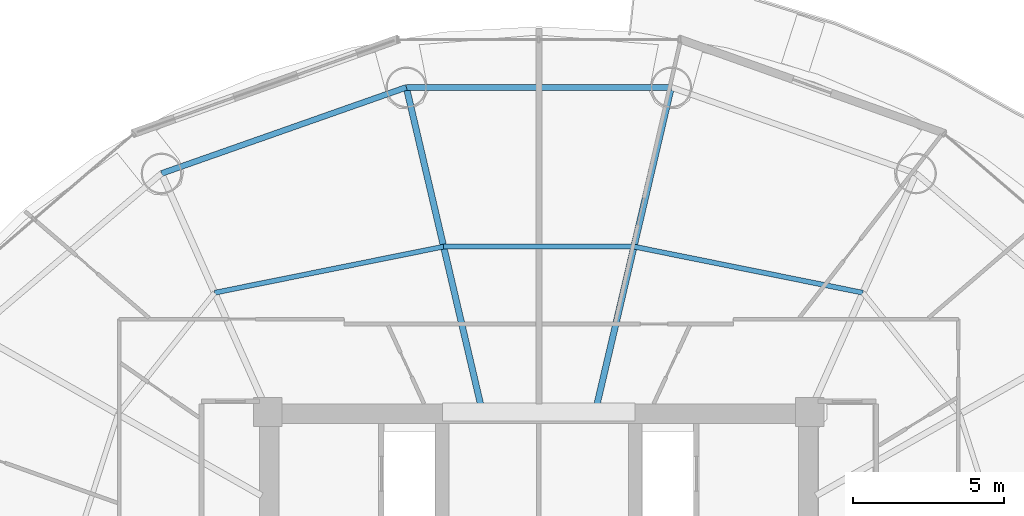
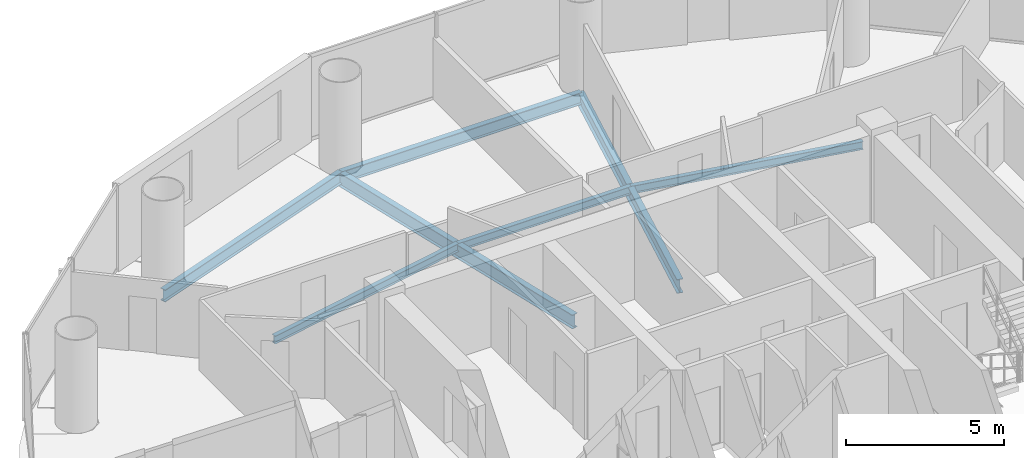
# One storey, part 15 of 26: 7 beams.
"""IFC4 building model written with IfcOpenShell, lengths in metres."""

import ifcopenshell
import ifcopenshell.guid

model = None  # the IFC model being written
_history = None  # IfcOwnerHistory: only IFC2X3 demands one
_inside = {}  # id of a spatial element -> (the spatial element, [elements in it])
_under = {}  # id of a project, library or spatial element -> (it, [spatial elements below it])
_declared = {}  # id of a project -> (the project, [libraries it declares])
_typed = {}  # id of a type object -> (the type object, [elements of that type])
_made_of = {}  # id of a material, layer set ... -> (it, [elements and type objects made of it])


def new_model(schema):
    """Start an empty IFC model of exactly this schema.

    Asked for "IFC4X3", IfcOpenShell would pick the latest addendum, in which some entities
    have other attributes; the version numbers below select the first issue.
    IFC2X3 requires an IfcOwnerHistory on every rooted entity: one is made here for all.
    """
    global model, _history
    if schema == "IFC4X3":
        model = ifcopenshell.file(schema_version=(4, 3, 0, 0))
    else:
        model = ifcopenshell.file(schema=schema)
    _inside.clear()
    _under.clear()
    _declared.clear()
    _typed.clear()
    _made_of.clear()
    _history = None
    if model.schema == "IFC2X3":
        org = make("IfcOrganization", Name="unknown")
        user = make(
            "IfcPersonAndOrganization",
            ThePerson=make("IfcPerson", FamilyName="unknown"),
            TheOrganization=org,
        )
        app = make(
            "IfcApplication",
            ApplicationDeveloper=org,
            Version="unknown",
            ApplicationFullName="unknown",
            ApplicationIdentifier="unknown",
        )
        _history = make(
            "IfcOwnerHistory",
            OwningUser=user,
            OwningApplication=app,
            ChangeAction="ADDED",
            CreationDate=0,
        )
    return model


def make(cls, **values):
    """One entity of the class cls with the attributes given. An attribute that is None is left unset."""
    return model.create_entity(
        cls, **{name: value for name, value in values.items() if value is not None}
    )


def rooted(cls, **values):
    """An entity with a GlobalId (a new one), such as an element, a storey or a relation."""
    return make(cls, GlobalId=ifcopenshell.guid.new(), OwnerHistory=_history, **values)


def si_unit(unit_type, name, prefix=None):
    """IfcSIUnit, for example si_unit("LENGTHUNIT", "METRE", prefix="MILLI")."""
    return make("IfcSIUnit", UnitType=unit_type, Prefix=prefix, Name=name)


def assignment(units):
    """IfcUnitAssignment: the units of a project."""
    return None if units is None else make("IfcUnitAssignment", Units=units)


def point(xyz):
    """IfcCartesianPoint."""
    return None if xyz is None else make("IfcCartesianPoint", Coordinates=xyz)


def direction(xyz):
    """IfcDirection."""
    return None if xyz is None else make("IfcDirection", DirectionRatios=xyz)


def frame(location, z_axis=None, x_axis=None):
    """IfcAxis2Placement3D, a coordinate frame: its origin and axes. An axis left out is left unset."""
    return make(
        "IfcAxis2Placement3D",
        Location=point(location),
        Axis=direction(z_axis),
        RefDirection=direction(x_axis),
    )


def frame_2d(location, x_axis=None):
    """IfcAxis2Placement2D, a coordinate frame in the plane: its origin and x axis."""
    return make(
        "IfcAxis2Placement2D", Location=point(location), RefDirection=direction(x_axis)
    )


def origin():
    """The frame at (0, 0, 0) with its axes left unset."""
    return frame((0.0, 0.0, 0.0))


def origin_2d():
    """The frame at (0, 0) in the plane with its x axis left unset."""
    return frame_2d((0.0, 0.0))


def place(relative_to, where):
    """IfcLocalPlacement: puts the frame where relative to a parent placement (None: the world)."""
    return make(
        "IfcLocalPlacement", PlacementRelTo=relative_to, RelativePlacement=where
    )


def context(
    kind, dimensions, precision=None, world=None, true_north=None, identifier=None
):
    """IfcGeometricRepresentationContext, for example the 3D "Model" context."""
    return make(
        "IfcGeometricRepresentationContext",
        ContextIdentifier=identifier,
        ContextType=kind,
        CoordinateSpaceDimension=dimensions,
        Precision=precision,
        WorldCoordinateSystem=world,
        TrueNorth=true_north,
    )


def subcontext(parent, identifier, kind, view, scale=None):
    """IfcGeometricRepresentationSubContext, for example "Body" below "Model"."""
    return make(
        "IfcGeometricRepresentationSubContext",
        ContextIdentifier=identifier,
        ContextType=kind,
        ParentContext=parent,
        TargetScale=scale,
        TargetView=view,
    )


def project(units=None, contexts=None):
    """IfcProject with its units and contexts."""
    return rooted(
        "IfcProject",
        Name="project",
        RepresentationContexts=contexts,
        UnitsInContext=assignment(units),
    )


def spatial(cls, under=None, at=None, **own):
    """A site, building, storey or space (cls), placed at a placement, below another one or the project."""
    s = rooted(cls, ObjectPlacement=at, **own)
    if under is not None:
        _under.setdefault(under.id(), (under, []))[1].append(s)
    return s


def profile(cls, at=None, kind="AREA", **sizes):
    """A parametric profile (cls). Its sizes go by their IFC names, for example OverallWidth=200.0."""
    return make(cls, ProfileType=kind, Position=at, **sizes)


def i_section(**sizes):
    """IfcIShapeProfileDef."""
    return profile("IfcIShapeProfileDef", **sizes)


def extrude(swept, where, along, depth):
    """IfcExtrudedAreaSolid: the profile swept, set in the frame where, extruded along a direction by depth."""
    return make(
        "IfcExtrudedAreaSolid",
        SweptArea=swept,
        Position=where,
        ExtrudedDirection=direction(along),
        Depth=depth,
    )


def shape(context_of_items, identifier, shape_type, items):
    """IfcShapeRepresentation: the items that make up one representation, for example the "Body"."""
    return make(
        "IfcShapeRepresentation",
        ContextOfItems=context_of_items,
        RepresentationIdentifier=identifier,
        RepresentationType=shape_type,
        Items=items,
    )


def material(Name=None, Category=None):
    """IfcMaterial."""
    return make("IfcMaterial", Name=Name, Category=Category)


def material_profile(
    of_material, cross_section, Name=None, Category=None, Priority=None
):
    """IfcMaterialProfile: a cross section and its material."""
    return make(
        "IfcMaterialProfile",
        Name=Name,
        Material=of_material,
        Profile=cross_section,
        Priority=Priority,
        Category=Category,
    )


def profile_set(profiles, Name=None, composite=None):
    """IfcMaterialProfileSet."""
    return make(
        "IfcMaterialProfileSet",
        Name=Name,
        MaterialProfiles=profiles,
        CompositeProfile=composite,
    )


def made_of(thing, what):
    """Note that an element or type object is made of a material, layer set ...; save() writes the relation."""
    if what is not None:
        _made_of.setdefault(what.id(), (what, []))[1].append(thing)
    return thing


def type_object(cls, material=None, **own):
    """A type object (cls), such as IfcWallType, which elements share."""
    return made_of(rooted(cls, **own), material)


def element(
    cls,
    number,
    at=None,
    inside=None,
    cuts=None,
    type_object=None,
    material=None,
    context=None,
    identifier="Body",
    shape_type=None,
    held_by="IfcProductDefinitionShape",
    body=None,
    shapes=None,
    **own,
):
    """One element of the class cls, such as IfcWall. Its Tag is "e" and its number.

    at: its placement. inside: the storey or other place that contains it. cuts: it is an
    opening in that element (IfcRelVoidsElement). A single representation is given by context,
    identifier, shape_type and body (its items); several are given by shapes. held_by: the class
    of the entity that holds the representations. save() writes the other relations.
    """
    e = rooted(cls, Tag="e%d" % number, ObjectPlacement=at, **own)
    if body is not None:
        shapes = [shape(context, identifier, shape_type, body)]
    if shapes is not None:
        e.Representation = make(held_by, Representations=shapes)
    if inside is not None:
        _inside.setdefault(inside.id(), (inside, []))[1].append(e)
    if cuts is not None:
        rooted(
            "IfcRelVoidsElement", RelatingBuildingElement=cuts, RelatedOpeningElement=e
        )
    if type_object is not None:
        _typed.setdefault(type_object.id(), (type_object, []))[1].append(e)
    return made_of(e, material)


def aggregate(whole, parts):
    """IfcRelAggregates: a whole, such as a stair, and the parts it consists of."""
    return rooted("IfcRelAggregates", RelatingObject=whole, RelatedObjects=parts)


def save(model, path):
    """Write the relations noted so far, then the file.

    IfcRelAggregates (storeys below a building ...), IfcRelContainedInSpatialStructure (elements
    in a storey), IfcRelDefinesByType, IfcRelAssociatesMaterial and IfcRelDeclares: one each for
    every whole, place, type object, material and project.
    """
    for whole, parts in _under.values():
        aggregate(whole, parts)
    for where, things in _inside.values():
        rooted(
            "IfcRelContainedInSpatialStructure",
            RelatedElements=things,
            RelatingStructure=where,
        )
    for kind, things in _typed.values():
        rooted("IfcRelDefinesByType", RelatedObjects=things, RelatingType=kind)
    for what, things in _made_of.values():
        rooted("IfcRelAssociatesMaterial", RelatedObjects=things, RelatingMaterial=what)
    for by, libraries in _declared.values():
        rooted("IfcRelDeclares", RelatingContext=by, RelatedDefinitions=libraries)
    model.write(path)


model = new_model("IFC4")

# Units and contexts
model_context = context("Model", 3, precision=1e-05, world=origin(), true_north=direction((-0.2419218956, 0.970295726276)))
body_context = subcontext(model_context, "Body", "Model", "MODEL_VIEW")
ifc_project = project(units=[si_unit("LENGTHUNIT", "METRE"), si_unit("AREAUNIT", "SQUARE_METRE"), si_unit("VOLUMEUNIT", "CUBIC_METRE"), si_unit("PLANEANGLEUNIT", "RADIAN"), si_unit("MASSUNIT", "GRAM", prefix="KILO")], contexts=[model_context])

# Site, building, storey
site_placement = place(None, origin())
site = spatial("IfcSite", under=ifc_project, at=site_placement, CompositionType="ELEMENT")
building_placement = place(site_placement, origin())
building = spatial("IfcBuilding", under=site, at=building_placement, Name="Cobrevalo Terracotta Tower", CompositionType="ELEMENT")
storey_placement = place(building_placement, frame((0.0, 0.0, 139.0)))
storey = spatial("IfcBuildingStorey", under=building, at=storey_placement, Name="L36", CompositionType="ELEMENT", Elevation=139.0)

# Beams
ifc_material = material(Name="Steel S355", Category="steel")
ifc_material_profile_1 = material_profile(ifc_material, i_section(OverallWidth=0.2109375, OverallDepth=0.5390625, WebThickness=0.01171875, FlangeThickness=0.018798828125, at=origin_2d()), Name="W 530x109")
ifc_profile_set_1 = profile_set([ifc_material_profile_1], Name="Steel S355")
beam_type_1 = type_object("IfcBeamType", Name="Structural Beam W 530x109 (Steel S355)", PredefinedType="BEAM", material=ifc_profile_set_1)
for number, where, z_axis, x_axis, name in (
    (1, (42.399169921875, 45.58203125, -0.53955078125), (-0.228040864186, -0.973651562039, 0.0), (0.973651562039, -0.228040864186, 0.0), "L36 radial floor girder 04"),
    (2, (33.600830078125, 45.58203125, -0.53955078125), (0.228040864186, -0.973651562039, 0.0), (0.973651562039, 0.228040864186, 0.0), "L36 radial floor girder 05"),
):
    element("IfcBeam", number, at=place(storey_placement, frame(where, z_axis=z_axis, x_axis=x_axis)), inside=storey, type_object=beam_type_1, Name=name, PredefinedType="BEAM", context=body_context, shape_type="SweptSolid", body=[
        extrude(i_section(OverallWidth=0.2109375, OverallDepth=0.5390625, WebThickness=0.01171875, FlangeThickness=0.018798828125, at=origin_2d()), origin(), (0.0, 0.0, 1.0), 10.86328125),
    ])
ifc_material_profile_2 = material_profile(ifc_material, i_section(OverallWidth=0.1650390625, OverallDepth=0.31005859375, WebThickness=0.005859375, FlangeThickness=0.009765625, at=origin_2d()), Name="W 310x38.7")
ifc_profile_set_2 = profile_set([ifc_material_profile_2], Name="Steel S355")
beam_type_2 = type_object("IfcBeamType", Name="Structural Joist W 310x38.7 (Steel S355)", PredefinedType="JOIST", material=ifc_profile_set_2)
beam_1_placement = place(storey_placement, frame((48.76416015625, 38.76123046875, -0.425048828125), z_axis=(-0.980293928329, 0.197544461026, 0.0), x_axis=(-0.197544461026, -0.980293928329, 0.0)))
element("IfcBeam", 3, at=beam_1_placement, inside=storey, type_object=beam_type_2, Name="L36 circumferential secondary floor joist 03", PredefinedType="JOIST", context=body_context, shape_type="SweptSolid", body=[
    extrude(i_section(OverallWidth=0.1650390625, OverallDepth=0.31005859375, WebThickness=0.005859375, FlangeThickness=0.009765625, at=origin_2d()), origin(), (0.0, 0.0, 1.0), 7.75634765625),
])
beam_2_placement = place(storey_placement, frame((41.16064453125, 40.29345703125, -0.425048828125), z_axis=(-1.0, 0.0, 0.0), x_axis=(0.0, -1.0, 0.0)))
element("IfcBeam", 4, at=beam_2_placement, inside=storey, type_object=beam_type_2, Name="L36 circumferential secondary floor joist 04", PredefinedType="JOIST", context=body_context, shape_type="SweptSolid", body=[
    extrude(i_section(OverallWidth=0.1650390625, OverallDepth=0.31005859375, WebThickness=0.005859375, FlangeThickness=0.009765625, at=origin_2d()), origin(), (0.0, 0.0, 1.0), 6.3212890625),
])
beam_3_placement = place(storey_placement, frame((34.83935546875, 40.29345703125, -0.425048828125), z_axis=(-0.980293928329, -0.197544461026, 0.0), x_axis=(0.197544461026, -0.980293928329, 0.0)))
element("IfcBeam", 5, at=beam_3_placement, inside=storey, type_object=beam_type_2, Name="L36 circumferential secondary floor joist 05", PredefinedType="JOIST", context=body_context, shape_type="SweptSolid", body=[
    extrude(i_section(OverallWidth=0.1650390625, OverallDepth=0.31005859375, WebThickness=0.005859375, FlangeThickness=0.009765625, at=origin_2d()), origin(), (0.0, 0.0, 1.0), 7.75634765625),
])
ifc_material_profile_3 = material_profile(ifc_material, i_section(OverallWidth=0.194091796875, OverallDepth=0.468994140625, WebThickness=0.011474609375, FlangeThickness=0.0205078125, at=origin_2d()), Name="W 460x106")
ifc_profile_set_3 = profile_set([ifc_material_profile_3], Name="Steel S355")
beam_type_3 = type_object("IfcBeamType", Name="Structural Spandrel W 460x106 (Steel S355)", PredefinedType="SPANDREL", material=ifc_profile_set_3)
beam_4_placement = place(storey_placement, frame((42.399169921875, 45.58203125, -0.50439453125), z_axis=(-1.0, 0.0, 0.0), x_axis=(0.0, -1.0, 0.0)))
element("IfcBeam", 6, at=beam_4_placement, inside=storey, type_object=beam_type_3, Name="L36 perimeter ring spandrel 04", PredefinedType="SPANDREL", context=body_context, shape_type="SweptSolid", body=[
    extrude(i_section(OverallWidth=0.194091796875, OverallDepth=0.468994140625, WebThickness=0.011474609375, FlangeThickness=0.0205078125, at=origin_2d()), origin(), (0.0, 0.0, 1.0), 8.79833984375),
])
beam_5_placement = place(storey_placement, frame((33.600830078125, 45.58203125, -0.50439453125), z_axis=(-0.943341298492, -0.331824041565, 0.0), x_axis=(0.331824041565, -0.943341298492, 0.0)))
element("IfcBeam", 7, at=beam_5_placement, inside=storey, type_object=beam_type_3, Name="L36 perimeter ring spandrel 05", PredefinedType="SPANDREL", context=body_context, shape_type="SweptSolid", body=[
    extrude(i_section(OverallWidth=0.194091796875, OverallDepth=0.468994140625, WebThickness=0.011474609375, FlangeThickness=0.0205078125, at=origin_2d()), origin(), (0.0, 0.0, 1.0), 8.6171875),
])

save(model, "model.ifc")
